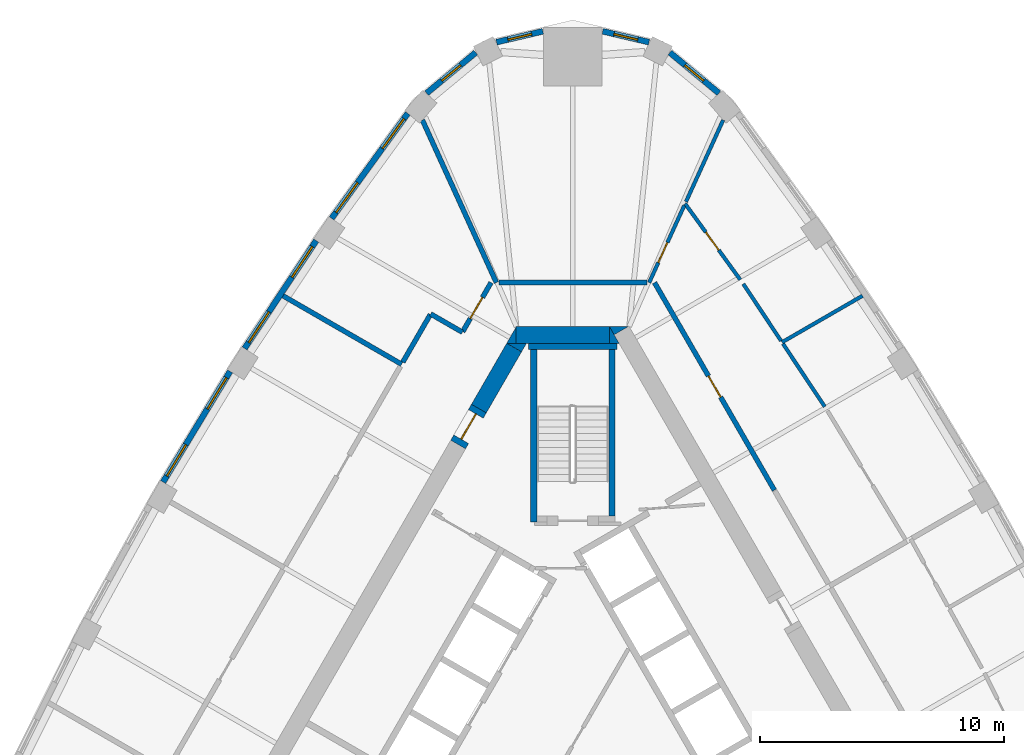
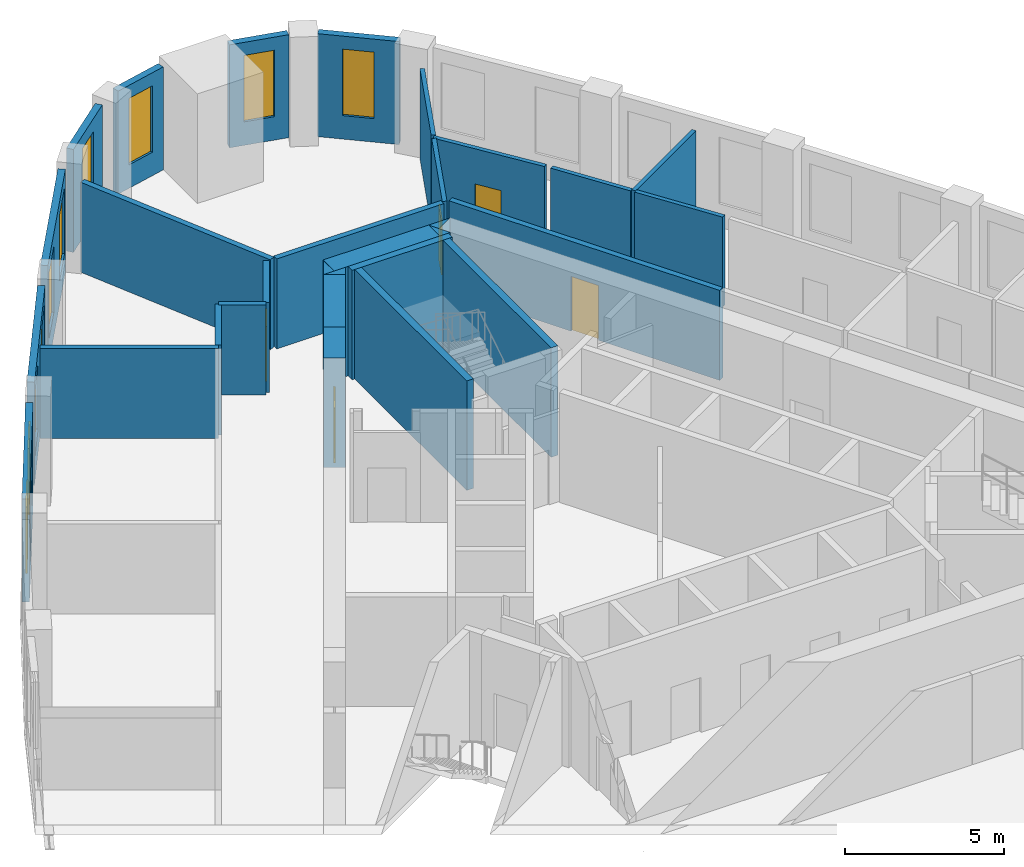
# One storey, part 8 of 10: 30 walls, 10 windows, 5 doors, 15 openings.
"""IFC4 building model written with IfcOpenShell, lengths in metres."""

from ifc_helpers import new_model, si_unit, direction, frame, frame_2d, origin, place, context, subcontext, project, spatial, polyline, rectangle, outline, extrude, material, layer, layer_set, type_object, element, fill, save


model = new_model("IFC4")

# Units and contexts
model_context = context("Model", 3, precision=1e-05, world=origin(), true_north=direction((0.0, 1.0)))
body_context = subcontext(model_context, "Body", "Model", "MODEL_VIEW")
ifc_project = project(units=[si_unit("LENGTHUNIT", "METRE"), si_unit("AREAUNIT", "SQUARE_METRE"), si_unit("VOLUMEUNIT", "CUBIC_METRE"), si_unit("PLANEANGLEUNIT", "RADIAN"), si_unit("MASSUNIT", "GRAM", prefix="KILO")], contexts=[model_context])

# Site, building, storey
site_placement = place(None, origin())
site = spatial("IfcSite", under=ifc_project, at=site_placement, CompositionType="ELEMENT")
building_placement = place(site_placement, origin())
building = spatial("IfcBuilding", under=site, at=building_placement, Name="Mestral Congress Tower", CompositionType="ELEMENT")
storey_placement = place(building_placement, frame((0.0, 0.0, 235.199951171875)))
storey = spatial("IfcBuildingStorey", under=building, at=storey_placement, Name="L55", CompositionType="ELEMENT", Elevation=235.199951171875)

# Walls
ifc_material_1 = material(Name="Concrete C60/75", Category="concrete")
ifc_layer_1 = layer(ifc_material_1, 0.699951171875)
ifc_layer_set_1 = layer_set([ifc_layer_1], Name="Concrete C60/75")
wall_type_1 = type_object("IfcWallType", Name="Core wall RC 700", PredefinedType="SOLIDWALL", material=ifc_layer_set_1)
placement = place(storey_placement, origin())
element("IfcWall", 1, at=placement, inside=storey, type_object=wall_type_1, Name="L55 core wall", PredefinedType="SOLIDWALL", context=body_context, shape_type="SweptSolid", body=[
    extrude(outline(polyline([(1.501220703125, 16.699951171875), (2.277099609375, 16.699951171875), (1.695068359375, 16.364013671875), (1.501220703125, 16.699951171875)])), origin(), (0.0, 0.0, 1.0), 4.199951171875),
])
wall_2_placement = place(storey_placement, frame((-2.323486328125, 16.35009765625, 0.0), z_axis=(0.0, 0.0, 1.0), x_axis=(1.0, 0.0, 0.0)))
element("IfcWall", 2, at=wall_2_placement, inside=storey, type_object=wall_type_1, Name="L55 core wall", PredefinedType="SOLIDWALL", context=body_context, shape_type="SweptSolid", body=[
    extrude(rectangle(XDim=3.828857421875, YDim=0.699951171875, at=frame_2d((1.91455078125, 0.0))), origin(), (0.0, 0.0, 1.0), 4.199951171875),
])
element("IfcWall", 3, at=placement, inside=storey, type_object=wall_type_1, Name="L55 core wall", PredefinedType="SOLIDWALL", context=body_context, shape_type="SweptSolid", body=[
    extrude(outline(polyline([(1.9052734375, 16.0), (1.50732421875, 16.0), (1.50732421875, 16.689208984375), (1.9052734375, 16.0)])), origin(), (0.0, 0.0, 1.0), 4.199951171875),
])
element("IfcWall", 4, at=placement, inside=storey, type_object=wall_type_1, Name="L55 core wall", PredefinedType="SOLIDWALL", context=body_context, shape_type="SweptSolid", body=[
    extrude(outline(polyline([(-2.71337890625, 16.0), (-2.325439453125, 16.672119140625), (-2.325439453125, 16.0), (-2.71337890625, 16.0)])), origin(), (0.0, 0.0, 1.0), 4.199951171875),
])
wall_5_placement = place(storey_placement, frame((-2.4033203125, 15.837158203125, 0.0), z_axis=(0.0, 0.0, 1.0), x_axis=(-0.500008214683, -0.866020660983, 0.0)))
element("IfcWall", 5, at=wall_5_placement, inside=storey, type_object=wall_type_1, Name="L55 core wall", PredefinedType="SOLIDWALL", context=body_context, shape_type="SweptSolid", body=[
    extrude(rectangle(XDim=2.88427734375, YDim=0.699951171875, at=frame_2d((1.442138671875, 0.0))), origin(), (0.0, 0.0, 1.0), 4.199951171875),
])
element("IfcWall", 6, at=placement, inside=storey, type_object=wall_type_1, Name="L55 core wall", PredefinedType="SOLIDWALL", context=body_context, shape_type="SweptSolid", body=[
    extrude(outline(polyline([(-1.9052734375, 16.0), (-2.099365234375, 15.6640625), (-2.681396484375, 16.0), (-1.9052734375, 16.0)])), origin(), (0.0, 0.0, 1.0), 4.199951171875),
])

# Wall, opening, door
wall_7_placement = place(storey_placement, frame((-4.695556640625, 11.866943359375, 0.0), z_axis=(0.0, 0.0, 1.0), x_axis=(0.499892348375, 0.866087547558, 0.0)))
wall_7 = element("IfcWall", 7, at=wall_7_placement, inside=storey, type_object=wall_type_1, Name="L55 door wall", PredefinedType="SOLIDWALL", context=body_context, shape_type="SweptSolid", body=[
    extrude(rectangle(XDim=1.699951171875, YDim=0.699951171875, at=frame_2d((0.85009765625, 0.0))), origin(), (0.0, 0.0, 1.0), 4.199951171875),
])
opening_1_placement = place(wall_7_placement, frame((0.25, 0.0, 0.0)))
opening_1 = element("IfcOpeningElement", 8, at=opening_1_placement, cuts=wall_7, Name="Opening XD2", PredefinedType="OPENING", context=body_context, shape_type="SweptSolid", body=[
    extrude(rectangle(XDim=1.199951171875, YDim=2.10009765625, at=frame_2d((0.60009765625, 1.050048828125))), frame((0.0, 0.35986328125, 0.0), z_axis=(0.0, -1.0, 0.0), x_axis=(1.0, 0.0, 0.0)), (0.0, 0.0, 1.0), 0.719970703125),
])
ifc_material_2 = material(Name="Fire-rated steel door set", Category="steel")
door_type_1 = type_object("IfcDoorType", Name="Core door XD 1200x2100", OperationType="SINGLE_SWING_LEFT", PredefinedType="DOOR", material=ifc_material_2)
door_1_placement = place(opening_1_placement, origin())
door_1 = element("IfcDoor", 9, at=door_1_placement, inside=storey, type_object=door_type_1, Name="Door XD2", OperationType="SINGLE_SWING_LEFT", OverallHeight=2.10009765625, OverallWidth=1.199951171875, PredefinedType="DOOR", context=body_context, shape_type="SweptSolid", body=[
    extrude(rectangle(XDim=1.199951171875, YDim=2.10009765625, at=frame_2d((0.60009765625, 1.050048828125))), frame((0.0, 0.02490234375, 0.0), z_axis=(0.0, -1.0, 0.0), x_axis=(1.0, 0.0, 0.0)), (0.0, 0.0, 1.0), 0.050048828125),
])
fill(opening_1, door_1)

# Wall, opening, window
ifc_material_3 = material(Name="Precast concrete C40/50 with limestone facing", Category="masonry")
ifc_layer_2 = layer(ifc_material_3, 0.239990234375)
ifc_layer_set_2 = layer_set([ifc_layer_2], Name="Precast concrete C40/50 with limestone facing")
wall_type_2 = type_object("IfcWallType", Name="Facade stone wall 240", PredefinedType="SOLIDWALL", material=ifc_layer_set_2)
wall_8_placement = place(storey_placement, frame((5.986572265625, 26.259033203125, 0.0), z_axis=(0.0, 0.0, 1.0), x_axis=(-0.769990037733, 0.638055908045, 0.0)))
wall_8 = element("IfcWall", 10, at=wall_8_placement, inside=storey, type_object=wall_type_2, Name="Facade wall K1-0", PredefinedType="SOLIDWALL", context=body_context, shape_type="SweptSolid", body=[
    extrude(rectangle(XDim=2.609130859375, YDim=0.239990234375, at=frame_2d((1.3046875, 0.0))), origin(), (0.0, 0.0, 1.0), 3.949951171875),
])
opening_2_placement = place(wall_8_placement, frame((0.8046875, 0.0, 0.89990234375)))
opening_2 = element("IfcOpeningElement", 11, at=opening_2_placement, cuts=wall_8, Name="Opening W5", PredefinedType="OPENING", context=body_context, shape_type="SweptSolid", body=[
    extrude(rectangle(XDim=1.0, YDim=2.550048828125, at=frame_2d((0.5, 1.27490234375))), frame((0.0, 0.1298828125, 0.0), z_axis=(0.0, -1.0, 0.0), x_axis=(1.0, 0.0, 0.0)), (0.0, 0.0, 1.0), 0.260009765625),
])
ifc_material_4 = material(Name="Clear low-emissivity double glazing", Category="glass")
window_type_1 = type_object("IfcWindowType", Name="Facade punched window 1000 x 2550 sill 900", PartitioningType="SINGLE_PANEL", PredefinedType="WINDOW", material=ifc_material_4)
window_1_placement = place(opening_2_placement, origin())
window_1 = element("IfcWindow", 12, at=window_1_placement, inside=storey, type_object=window_type_1, Name="Window K1-0", OverallHeight=2.550048828125, OverallWidth=1.0, PartitioningType="SINGLE_PANEL", PredefinedType="WINDOW", context=body_context, shape_type="SweptSolid", body=[
    extrude(rectangle(XDim=1.0, YDim=2.550048828125, at=frame_2d((0.5, 1.27490234375))), frame((0.0, 0.0400390625, 0.0), z_axis=(0.0, -1.0, 0.0), x_axis=(1.0, 0.0, 0.0)), (0.0, 0.0, 1.0), 0.06005859375),
])
fill(opening_2, window_1)

wall_9_placement = place(storey_placement, frame((3.123046875, 28.3486328125, 0.0), z_axis=(0.0, 0.0, 1.0), x_axis=(-0.973515706272, 0.228620142686, 0.0)))
wall_9 = element("IfcWall", 13, at=wall_9_placement, inside=storey, type_object=wall_type_2, Name="Facade wall K1-1", PredefinedType="SOLIDWALL", context=body_context, shape_type="SweptSolid", body=[
    extrude(rectangle(XDim=1.94775390625, YDim=0.239990234375, at=frame_2d((0.973876953125, 0.0))), origin(), (0.0, 0.0, 1.0), 3.949951171875),
])
opening_3_placement = place(wall_9_placement, frame((0.47412109375, 0.0, 0.89990234375)))
opening_3 = element("IfcOpeningElement", 14, at=opening_3_placement, cuts=wall_9, Name="Opening W5", PredefinedType="OPENING", context=body_context, shape_type="SweptSolid", body=[
    extrude(rectangle(XDim=1.0, YDim=2.550048828125, at=frame_2d((0.5, 1.27490234375))), frame((0.0, 0.1298828125, 0.0), z_axis=(0.0, -1.0, 0.0), x_axis=(1.0, 0.0, 0.0)), (0.0, 0.0, 1.0), 0.260009765625),
])
window_2_placement = place(opening_3_placement, origin())
window_2 = element("IfcWindow", 15, at=window_2_placement, inside=storey, type_object=window_type_1, Name="Window K1-1", OverallHeight=2.550048828125, OverallWidth=1.0, PartitioningType="SINGLE_PANEL", PredefinedType="WINDOW", context=body_context, shape_type="SweptSolid", body=[
    extrude(rectangle(XDim=1.0, YDim=2.550048828125, at=frame_2d((0.5, 1.27490234375))), frame((0.0, 0.0400390625, 0.0), z_axis=(0.0, -1.0, 0.0), x_axis=(1.0, 0.0, 0.0)), (0.0, 0.0, 1.0), 0.06005859375),
])
fill(opening_3, window_2)

wall_10_placement = place(storey_placement, frame((-1.226806640625, 28.7939453125, 0.0), z_axis=(0.0, 0.0, 1.0), x_axis=(-0.973515706272, -0.228620142686, 0.0)))
wall_10 = element("IfcWall", 16, at=wall_10_placement, inside=storey, type_object=wall_type_2, Name="Facade wall K1-2", PredefinedType="SOLIDWALL", context=body_context, shape_type="SweptSolid", body=[
    extrude(rectangle(XDim=1.94775390625, YDim=0.239990234375, at=frame_2d((0.973876953125, 0.0))), origin(), (0.0, 0.0, 1.0), 3.949951171875),
])
opening_4_placement = place(wall_10_placement, frame((0.47412109375, 0.0, 0.89990234375)))
opening_4 = element("IfcOpeningElement", 17, at=opening_4_placement, cuts=wall_10, Name="Opening W5", PredefinedType="OPENING", context=body_context, shape_type="SweptSolid", body=[
    extrude(rectangle(XDim=1.0, YDim=2.550048828125, at=frame_2d((0.5, 1.27490234375))), frame((0.0, 0.1298828125, 0.0), z_axis=(0.0, -1.0, 0.0), x_axis=(1.0, 0.0, 0.0)), (0.0, 0.0, 1.0), 0.260009765625),
])
window_3_placement = place(opening_4_placement, origin())
window_3 = element("IfcWindow", 18, at=window_3_placement, inside=storey, type_object=window_type_1, Name="Window K1-2", OverallHeight=2.550048828125, OverallWidth=1.0, PartitioningType="SINGLE_PANEL", PredefinedType="WINDOW", context=body_context, shape_type="SweptSolid", body=[
    extrude(rectangle(XDim=1.0, YDim=2.550048828125, at=frame_2d((0.5, 1.27490234375))), frame((0.0, 0.0400390625, 0.0), z_axis=(0.0, -1.0, 0.0), x_axis=(1.0, 0.0, 0.0)), (0.0, 0.0, 1.0), 0.06005859375),
])
fill(opening_4, window_3)

wall_11_placement = place(storey_placement, frame((-3.9775390625, 27.923828125, 0.0), z_axis=(0.0, 0.0, 1.0), x_axis=(-0.769990037733, -0.638055908045, 0.0)))
wall_11 = element("IfcWall", 19, at=wall_11_placement, inside=storey, type_object=wall_type_2, Name="Facade wall K1-3", PredefinedType="SOLIDWALL", context=body_context, shape_type="SweptSolid", body=[
    extrude(rectangle(XDim=2.609130859375, YDim=0.239990234375, at=frame_2d((1.3046875, 0.0))), origin(), (0.0, 0.0, 1.0), 3.949951171875),
])
opening_5_placement = place(wall_11_placement, frame((0.8046875, 0.0, 0.89990234375)))
opening_5 = element("IfcOpeningElement", 20, at=opening_5_placement, cuts=wall_11, Name="Opening W5", PredefinedType="OPENING", context=body_context, shape_type="SweptSolid", body=[
    extrude(rectangle(XDim=1.0, YDim=2.550048828125, at=frame_2d((0.5, 1.27490234375))), frame((0.0, 0.1298828125, 0.0), z_axis=(0.0, -1.0, 0.0), x_axis=(1.0, 0.0, 0.0)), (0.0, 0.0, 1.0), 0.260009765625),
])
window_4_placement = place(opening_5_placement, origin())
window_4 = element("IfcWindow", 21, at=window_4_placement, inside=storey, type_object=window_type_1, Name="Window K1-3", OverallHeight=2.550048828125, OverallWidth=1.0, PartitioningType="SINGLE_PANEL", PredefinedType="WINDOW", context=body_context, shape_type="SweptSolid", body=[
    extrude(rectangle(XDim=1.0, YDim=2.550048828125, at=frame_2d((0.5, 1.27490234375))), frame((0.0, 0.0400390625, 0.0), z_axis=(0.0, -1.0, 0.0), x_axis=(1.0, 0.0, 0.0)), (0.0, 0.0, 1.0), 0.06005859375),
])
fill(opening_5, window_4)

# Wall, openings, windows
wall_12_placement = place(storey_placement, frame((-6.760986328125, 25.431884765625, 0.0), z_axis=(0.0, 0.0, 1.0), x_axis=(-0.586998456641, -0.80958805074, 0.0)))
wall_12 = element("IfcWall", 22, at=wall_12_placement, inside=storey, type_object=wall_type_2, Name="Facade wall F2-00", PredefinedType="SOLIDWALL", context=body_context, shape_type="SweptSolid", body=[
    extrude(rectangle(XDim=5.310791015625, YDim=0.239990234375, at=frame_2d((2.6552734375, 0.0))), origin(), (0.0, 0.0, 1.0), 3.949951171875),
])
opening_6_placement = place(wall_12_placement, frame((0.271484375, 0.0, 0.89990234375)))
opening_6 = element("IfcOpeningElement", 23, at=opening_6_placement, cuts=wall_12, Name="Opening W4", PredefinedType="OPENING", context=body_context, shape_type="SweptSolid", body=[
    extrude(rectangle(XDim=1.5, YDim=2.550048828125, at=frame_2d((0.75, 1.27490234375))), frame((0.0, 0.1298828125, 0.0), z_axis=(0.0, -1.0, 0.0), x_axis=(1.0, 0.0, 0.0)), (0.0, 0.0, 1.0), 0.260009765625),
])
opening_7_placement = place(wall_12_placement, frame((3.50439453125, 0.0, 0.89990234375)))
opening_7 = element("IfcOpeningElement", 24, at=opening_7_placement, cuts=wall_12, Name="Opening W4", PredefinedType="OPENING", context=body_context, shape_type="SweptSolid", body=[
    extrude(rectangle(XDim=1.5, YDim=2.550048828125, at=frame_2d((0.75, 1.27490234375))), frame((0.0, 0.1298828125, 0.0), z_axis=(0.0, -1.0, 0.0), x_axis=(1.0, 0.0, 0.0)), (0.0, 0.0, 1.0), 0.260009765625),
])
window_type_2 = type_object("IfcWindowType", Name="Facade punched window 1500 x 2550 sill 900", PartitioningType="SINGLE_PANEL", PredefinedType="WINDOW", material=ifc_material_4)
window_5_placement = place(opening_6_placement, origin())
window_5 = element("IfcWindow", 25, at=window_5_placement, inside=storey, type_object=window_type_2, Name="Window F2-00a", OverallHeight=2.550048828125, OverallWidth=1.5, PartitioningType="SINGLE_PANEL", PredefinedType="WINDOW", context=body_context, shape_type="SweptSolid", body=[
    extrude(rectangle(XDim=1.5, YDim=2.550048828125, at=frame_2d((0.75, 1.27490234375))), frame((0.0, 0.0400390625, 0.0), z_axis=(0.0, -1.0, 0.0), x_axis=(1.0, 0.0, 0.0)), (0.0, 0.0, 1.0), 0.06005859375),
])
fill(opening_6, window_5)
window_6_placement = place(opening_7_placement, origin())
window_6 = element("IfcWindow", 26, at=window_6_placement, inside=storey, type_object=window_type_2, Name="Window F2-00b", OverallHeight=2.550048828125, OverallWidth=1.5, PartitioningType="SINGLE_PANEL", PredefinedType="WINDOW", context=body_context, shape_type="SweptSolid", body=[
    extrude(rectangle(XDim=1.5, YDim=2.550048828125, at=frame_2d((0.75, 1.27490234375))), frame((0.0, 0.0400390625, 0.0), z_axis=(0.0, -1.0, 0.0), x_axis=(1.0, 0.0, 0.0)), (0.0, 0.0, 1.0), 0.06005859375),
])
fill(opening_7, window_6)

wall_13_placement = place(storey_placement, frame((-10.5126953125, 20.21826171875, 0.0), z_axis=(0.0, 0.0, 1.0), x_axis=(-0.552901821755, -0.833246407433, 0.0)))
wall_13 = element("IfcWall", 27, at=wall_13_placement, inside=storey, type_object=wall_type_2, Name="Facade wall F2-01", PredefinedType="SOLIDWALL", context=body_context, shape_type="SweptSolid", body=[
    extrude(rectangle(XDim=5.29833984375, YDim=0.239990234375, at=frame_2d((2.649169921875, 0.0))), origin(), (0.0, 0.0, 1.0), 3.949951171875),
])
opening_8_placement = place(wall_13_placement, frame((0.29443359375, 0.0, 0.89990234375)))
opening_8 = element("IfcOpeningElement", 28, at=opening_8_placement, cuts=wall_13, Name="Opening W4", PredefinedType="OPENING", context=body_context, shape_type="SweptSolid", body=[
    extrude(rectangle(XDim=1.5, YDim=2.550048828125, at=frame_2d((0.75, 1.27490234375))), frame((0.0, 0.1298828125, 0.0), z_axis=(0.0, -1.0, 0.0), x_axis=(1.0, 0.0, 0.0)), (0.0, 0.0, 1.0), 0.260009765625),
])
opening_9_placement = place(wall_13_placement, frame((3.503662109375, 0.0, 0.89990234375)))
opening_9 = element("IfcOpeningElement", 29, at=opening_9_placement, cuts=wall_13, Name="Opening W4", PredefinedType="OPENING", context=body_context, shape_type="SweptSolid", body=[
    extrude(rectangle(XDim=1.5, YDim=2.550048828125, at=frame_2d((0.75, 1.27490234375))), frame((0.0, 0.1298828125, 0.0), z_axis=(0.0, -1.0, 0.0), x_axis=(1.0, 0.0, 0.0)), (0.0, 0.0, 1.0), 0.260009765625),
])
window_7_placement = place(opening_8_placement, origin())
window_7 = element("IfcWindow", 30, at=window_7_placement, inside=storey, type_object=window_type_2, Name="Window F2-01a", OverallHeight=2.550048828125, OverallWidth=1.5, PartitioningType="SINGLE_PANEL", PredefinedType="WINDOW", context=body_context, shape_type="SweptSolid", body=[
    extrude(rectangle(XDim=1.5, YDim=2.550048828125, at=frame_2d((0.75, 1.27490234375))), frame((0.0, 0.0400390625, 0.0), z_axis=(0.0, -1.0, 0.0), x_axis=(1.0, 0.0, 0.0)), (0.0, 0.0, 1.0), 0.06005859375),
])
fill(opening_8, window_7)
window_8_placement = place(opening_9_placement, origin())
window_8 = element("IfcWindow", 31, at=window_8_placement, inside=storey, type_object=window_type_2, Name="Window F2-01b", OverallHeight=2.550048828125, OverallWidth=1.5, PartitioningType="SINGLE_PANEL", PredefinedType="WINDOW", context=body_context, shape_type="SweptSolid", body=[
    extrude(rectangle(XDim=1.5, YDim=2.550048828125, at=frame_2d((0.75, 1.27490234375))), frame((0.0, 0.0400390625, 0.0), z_axis=(0.0, -1.0, 0.0), x_axis=(1.0, 0.0, 0.0)), (0.0, 0.0, 1.0), 0.06005859375),
])
fill(opening_9, window_8)

wall_14_placement = place(storey_placement, frame((-14.0380859375, 14.86376953125, 0.0), z_axis=(0.0, 0.0, 1.0), x_axis=(-0.517846166225, -0.855473756538, 0.0)))
wall_14 = element("IfcWall", 32, at=wall_14_placement, inside=storey, type_object=wall_type_2, Name="Facade wall F2-02", PredefinedType="SOLIDWALL", context=body_context, shape_type="SweptSolid", body=[
    extrude(rectangle(XDim=5.298095703125, YDim=0.239990234375, at=frame_2d((2.64892578125, 0.0))), origin(), (0.0, 0.0, 1.0), 3.949951171875),
])
opening_10_placement = place(wall_14_placement, frame((0.29443359375, 0.0, 0.89990234375)))
opening_10 = element("IfcOpeningElement", 33, at=opening_10_placement, cuts=wall_14, Name="Opening W4", PredefinedType="OPENING", context=body_context, shape_type="SweptSolid", body=[
    extrude(rectangle(XDim=1.5, YDim=2.550048828125, at=frame_2d((0.75, 1.27490234375))), frame((0.0, 0.1298828125, 0.0), z_axis=(0.0, -1.0, 0.0), x_axis=(1.0, 0.0, 0.0)), (0.0, 0.0, 1.0), 0.260009765625),
])
opening_11_placement = place(wall_14_placement, frame((3.503662109375, 0.0, 0.89990234375)))
opening_11 = element("IfcOpeningElement", 34, at=opening_11_placement, cuts=wall_14, Name="Opening W4", PredefinedType="OPENING", context=body_context, shape_type="SweptSolid", body=[
    extrude(rectangle(XDim=1.5, YDim=2.550048828125, at=frame_2d((0.75, 1.27490234375))), frame((0.0, 0.1298828125, 0.0), z_axis=(0.0, -1.0, 0.0), x_axis=(1.0, 0.0, 0.0)), (0.0, 0.0, 1.0), 0.260009765625),
])
window_9_placement = place(opening_10_placement, origin())
window_9 = element("IfcWindow", 35, at=window_9_placement, inside=storey, type_object=window_type_2, Name="Window F2-02a", OverallHeight=2.550048828125, OverallWidth=1.5, PartitioningType="SINGLE_PANEL", PredefinedType="WINDOW", context=body_context, shape_type="SweptSolid", body=[
    extrude(rectangle(XDim=1.5, YDim=2.550048828125, at=frame_2d((0.75, 1.27490234375))), frame((0.0, 0.0400390625, 0.0), z_axis=(0.0, -1.0, 0.0), x_axis=(1.0, 0.0, 0.0)), (0.0, 0.0, 1.0), 0.06005859375),
])
fill(opening_10, window_9)
window_10_placement = place(opening_11_placement, origin())
window_10 = element("IfcWindow", 36, at=window_10_placement, inside=storey, type_object=window_type_2, Name="Window F2-02b", OverallHeight=2.550048828125, OverallWidth=1.5, PartitioningType="SINGLE_PANEL", PredefinedType="WINDOW", context=body_context, shape_type="SweptSolid", body=[
    extrude(rectangle(XDim=1.5, YDim=2.550048828125, at=frame_2d((0.75, 1.27490234375))), frame((0.0, 0.0400390625, 0.0), z_axis=(0.0, -1.0, 0.0), x_axis=(1.0, 0.0, 0.0)), (0.0, 0.0, 1.0), 0.06005859375),
])
fill(opening_11, window_10)

# Walls
ifc_material_5 = material(Name="Plasterboard partition on steel studs", Category="steel")
ifc_layer_3 = layer(ifc_material_5, 0.14990234375)
ifc_layer_set_3 = layer_set([ifc_layer_3], Name="Plasterboard partition on steel studs")
wall_type_3 = type_object("IfcWallType", Name="Office partition 150", PredefinedType="PARTITIONING", material=ifc_layer_set_3)
wall_15_placement = place(storey_placement, frame((8.5703125, 16.055908203125, 0.0), z_axis=(0.0, 0.0, 1.0), x_axis=(0.866000839906, 0.500042543472, 0.0)))
element("IfcWall", 37, at=wall_15_placement, inside=storey, type_object=wall_type_3, Name="Partition", PredefinedType="PARTITIONING", context=body_context, shape_type="SweptSolid", body=[
    extrude(rectangle(XDim=3.807373046875, YDim=0.14990234375, at=frame_2d((1.90380859375, 0.0))), origin(), (0.0, 0.0, 1.0), 3.449951171875),
])
wall_16_placement = place(storey_placement, frame((10.320068359375, 13.418701171875, 0.0), z_axis=(0.0, 0.0, 1.0), x_axis=(-0.552857215969, 0.833276003945, 0.0)))
element("IfcWall", 38, at=wall_16_placement, inside=storey, type_object=wall_type_3, Name="Partition", PredefinedType="PARTITIONING", context=body_context, shape_type="SweptSolid", body=[
    extrude(rectangle(XDim=3.08984375, YDim=0.14990234375, at=frame_2d((1.544921875, 0.0))), origin(), (0.0, 0.0, 1.0), 3.449951171875),
])
wall_17_placement = place(storey_placement, frame((8.528564453125, 16.118408203125, 0.0), z_axis=(0.0, 0.0, 1.0), x_axis=(-0.552884246744, 0.833258069089, 0.0)))
element("IfcWall", 39, at=wall_17_placement, inside=storey, type_object=wall_type_3, Name="Partition", PredefinedType="PARTITIONING", context=body_context, shape_type="SweptSolid", body=[
    extrude(rectangle(XDim=2.794189453125, YDim=0.14990234375, at=frame_2d((1.39697265625, 0.0))), origin(), (0.0, 0.0, 1.0), 3.449951171875),
])

# Wall, opening, door
wall_18_placement = place(storey_placement, frame((4.6005859375, 21.733154296875, 0.0), z_axis=(0.0, 0.0, 1.0), x_axis=(0.587031033917, -0.809564429319, 0.0)))
wall_18 = element("IfcWall", 40, at=wall_18_placement, inside=storey, type_object=wall_type_3, Name="Partition", PredefinedType="PARTITIONING", context=body_context, shape_type="SweptSolid", body=[
    extrude(rectangle(XDim=3.84521484375, YDim=0.14990234375, at=frame_2d((1.922607421875, 0.0))), origin(), (0.0, 0.0, 1.0), 3.449951171875),
])
opening_12_placement = place(wall_18_placement, frame((1.4453125, 0.0, 0.0)))
opening_12 = element("IfcOpeningElement", 41, at=opening_12_placement, cuts=wall_18, Name="Opening O08-017", PredefinedType="OPENING", context=body_context, shape_type="SweptSolid", body=[
    extrude(rectangle(XDim=0.89990234375, YDim=2.10009765625, at=frame_2d((0.449951171875, 1.050048828125))), frame((0.0, 0.0849609375, 0.0), z_axis=(0.0, -1.0, 0.0), x_axis=(1.0, 0.0, 0.0)), (0.0, 0.0, 1.0), 0.169921875),
])
ifc_material_6 = material(Name="Timber door set", Category="wood")
door_type_2 = type_object("IfcDoorType", Name="Office door 900x2100", OperationType="SINGLE_SWING_LEFT", PredefinedType="DOOR", material=ifc_material_6)
door_2_placement = place(opening_12_placement, origin())
door_2 = element("IfcDoor", 42, at=door_2_placement, inside=storey, type_object=door_type_2, Name="Door O08-017", OperationType="SINGLE_SWING_LEFT", OverallHeight=2.10009765625, OverallWidth=0.89990234375, PredefinedType="DOOR", context=body_context, shape_type="SweptSolid", body=[
    extrude(rectangle(XDim=0.89990234375, YDim=2.10009765625, at=frame_2d((0.449951171875, 1.050048828125))), frame((0.0, 0.02490234375, 0.0), z_axis=(0.0, -1.0, 0.0), x_axis=(1.0, 0.0, 0.0)), (0.0, 0.0, 1.0), 0.050048828125),
])
fill(opening_12, door_2)

# Wall
wall_19_placement = place(storey_placement, frame((4.636474609375, 21.811767578125, 0.0), z_axis=(0.0, 0.0, 1.0), x_axis=(0.414322811892, 0.910129994861, 0.0)))
element("IfcWall", 43, at=wall_19_placement, inside=storey, type_object=wall_type_3, Name="Partition", PredefinedType="PARTITIONING", context=body_context, shape_type="SweptSolid", body=[
    extrude(rectangle(XDim=3.67919921875, YDim=0.14990234375, at=frame_2d((1.839599609375, 0.0))), origin(), (0.0, 0.0, 1.0), 3.449951171875),
])

# Wall, opening, door
wall_20_placement = place(storey_placement, frame((3.12890625, 18.5, 0.0), z_axis=(0.0, 0.0, 1.0), x_axis=(0.414291096557, 0.910144432117, 0.0)))
wall_20 = element("IfcWall", 44, at=wall_20_placement, inside=storey, type_object=wall_type_3, Name="Partition", PredefinedType="PARTITIONING", context=body_context, shape_type="SweptSolid", body=[
    extrude(rectangle(XDim=3.46630859375, YDim=0.14990234375, at=frame_2d((1.733154296875, 0.0))), origin(), (0.0, 0.0, 1.0), 3.449951171875),
])
opening_13_placement = place(wall_20_placement, frame((0.89990234375, 0.0, 0.0)))
opening_13 = element("IfcOpeningElement", 45, at=opening_13_placement, cuts=wall_20, Name="Opening O08-019", PredefinedType="OPENING", context=body_context, shape_type="SweptSolid", body=[
    extrude(rectangle(XDim=0.89990234375, YDim=2.10009765625, at=frame_2d((0.449951171875, 1.050048828125))), frame((0.0, 0.0849609375, 0.0), z_axis=(0.0, -1.0, 0.0), x_axis=(1.0, 0.0, 0.0)), (0.0, 0.0, 1.0), 0.169921875),
])
door_3_placement = place(opening_13_placement, origin())
door_3 = element("IfcDoor", 46, at=door_3_placement, inside=storey, type_object=door_type_2, Name="Door O08-019", OperationType="SINGLE_SWING_LEFT", OverallHeight=2.10009765625, OverallWidth=0.89990234375, PredefinedType="DOOR", context=body_context, shape_type="SweptSolid", body=[
    extrude(rectangle(XDim=0.89990234375, YDim=2.10009765625, at=frame_2d((0.449951171875, 1.050048828125))), frame((0.0, 0.02490234375, 0.0), z_axis=(0.0, -1.0, 0.0), x_axis=(1.0, 0.0, 0.0)), (0.0, 0.0, 1.0), 0.050048828125),
])
fill(opening_13, door_3)

# Walls
ifc_material_7 = material(Name="Dense masonry wall, plastered", Category="masonry")
ifc_layer_4 = layer(ifc_material_7, 0.199951171875)
ifc_layer_set_4 = layer_set([ifc_layer_4], Name="Dense masonry wall, plastered")
wall_type_4 = type_object("IfcWallType", Name="Office tenancy wall 200", PredefinedType="PARTITIONING", material=ifc_layer_set_4)
wall_21_placement = place(storey_placement, frame((-7.011474609375, 15.156005859375, 0.0), z_axis=(0.0, 0.0, 1.0), x_axis=(-0.866015917575, 0.500016430238, 0.0)))
element("IfcWall", 47, at=wall_21_placement, inside=storey, type_object=wall_type_4, Name="Tenancy wall", PredefinedType="PARTITIONING", context=body_context, shape_type="SweptSolid", body=[
    extrude(rectangle(XDim=5.607177734375, YDim=0.199951171875, at=frame_2d((2.8037109375, 0.0))), origin(), (0.0, 0.0, 1.0), 3.449951171875),
])
wall_22_placement = place(storey_placement, frame((-6.160888671875, 25.160400390625, 0.0), z_axis=(0.0, 0.0, 1.0), x_axis=(0.414315639321, -0.910133260031, 0.0)))
element("IfcWall", 48, at=wall_22_placement, inside=storey, type_object=wall_type_4, Name="Tenancy wall", PredefinedType="PARTITIONING", context=body_context, shape_type="SweptSolid", body=[
    extrude(rectangle(XDim=7.318115234375, YDim=0.199951171875, at=frame_2d((3.6591796875, 0.0))), origin(), (0.0, 0.0, 1.0), 3.449951171875),
])
wall_23_placement = place(storey_placement, frame((-4.522216796875, 16.46728515625, 0.0), z_axis=(0.0, 0.0, 1.0), x_axis=(-0.866031096941, 0.499990139034, 0.0)))
element("IfcWall", 49, at=wall_23_placement, inside=storey, type_object=wall_type_4, Name="Tenancy wall", PredefinedType="PARTITIONING", context=body_context, shape_type="SweptSolid", body=[
    extrude(rectangle(XDim=1.5, YDim=0.199951171875, at=frame_2d((0.75, 0.0))), origin(), (0.0, 0.0, 1.0), 3.449951171875),
])
wall_24_placement = place(storey_placement, frame((-5.836181640625, 17.19140625, 0.0), z_axis=(0.0, 0.0, 1.0), x_axis=(-0.500048020061, -0.865997677614, 0.0)))
element("IfcWall", 50, at=wall_24_placement, inside=storey, type_object=wall_type_4, Name="Tenancy wall", PredefinedType="PARTITIONING", context=body_context, shape_type="SweptSolid", body=[
    extrude(rectangle(XDim=2.250244140625, YDim=0.199951171875, at=frame_2d((1.125, 0.0))), origin(), (0.0, 0.0, 1.0), 3.449951171875),
])

# Wall, opening, door
wall_25_placement = place(storey_placement, frame((-3.3486328125, 18.5, 0.0), z_axis=(0.0, 0.0, 1.0), x_axis=(-0.499980886083, -0.866036438928, 0.0)))
wall_25 = element("IfcWall", 51, at=wall_25_placement, inside=storey, type_object=wall_type_4, Name="Tenancy wall", PredefinedType="PARTITIONING", context=body_context, shape_type="SweptSolid", body=[
    extrude(rectangle(XDim=2.31689453125, YDim=0.199951171875, at=frame_2d((1.158447265625, 0.0))), origin(), (0.0, 0.0, 1.0), 3.449951171875),
])
opening_14_placement = place(wall_25_placement, frame((0.699951171875, 0.0, 0.0)))
opening_14 = element("IfcOpeningElement", 52, at=opening_14_placement, cuts=wall_25, Name="Opening O08-001", PredefinedType="OPENING", context=body_context, shape_type="SweptSolid", body=[
    extrude(rectangle(XDim=1.0, YDim=2.10009765625, at=frame_2d((0.5, 1.050048828125))), frame((0.0, 0.10986328125, 0.0), z_axis=(0.0, -1.0, 0.0), x_axis=(1.0, 0.0, 0.0)), (0.0, 0.0, 1.0), 0.219970703125),
])
ifc_material_8 = material(Name="Fire-rated timber door set", Category="wood")
door_type_3 = type_object("IfcDoorType", Name="Office tenancy entrance door 1000x2100", OperationType="SINGLE_SWING_LEFT", PredefinedType="DOOR", material=ifc_material_8)
door_4_placement = place(opening_14_placement, origin())
door_4 = element("IfcDoor", 53, at=door_4_placement, inside=storey, type_object=door_type_3, Name="Door O08-001", OperationType="SINGLE_SWING_RIGHT", OverallHeight=2.10009765625, OverallWidth=1.0, PredefinedType="DOOR", context=body_context, shape_type="SweptSolid", body=[
    extrude(rectangle(XDim=1.0, YDim=2.10009765625, at=frame_2d((0.5, 1.050048828125))), frame((0.0, 0.02490234375, 0.0), z_axis=(0.0, -1.0, 0.0), x_axis=(1.0, 0.0, 0.0)), (0.0, 0.0, 1.0), 0.050048828125),
])
fill(opening_14, door_4)

wall_26_placement = place(storey_placement, frame((8.257080078125, 9.998046875, 0.0), z_axis=(0.0, 0.0, 1.0), x_axis=(-0.499987955211, 0.866032357735, 0.0)))
wall_26 = element("IfcWall", 54, at=wall_26_placement, inside=storey, type_object=wall_type_4, Name="Tenancy wall", PredefinedType="PARTITIONING", context=body_context, shape_type="SweptSolid", body=[
    extrude(rectangle(XDim=9.817138671875, YDim=0.199951171875, at=frame_2d((4.90869140625, 0.0))), origin(), (0.0, 0.0, 1.0), 3.449951171875),
])
opening_15_placement = place(wall_26_placement, frame((4.39990234375, 0.0, 0.0)))
opening_15 = element("IfcOpeningElement", 55, at=opening_15_placement, cuts=wall_26, Name="Opening O08-018", PredefinedType="OPENING", context=body_context, shape_type="SweptSolid", body=[
    extrude(rectangle(XDim=1.0, YDim=2.10009765625, at=frame_2d((0.5, 1.050048828125))), frame((0.0, 0.10986328125, 0.0), z_axis=(0.0, -1.0, 0.0), x_axis=(1.0, 0.0, 0.0)), (0.0, 0.0, 1.0), 0.219970703125),
])
door_5_placement = place(opening_15_placement, origin())
door_5 = element("IfcDoor", 56, at=door_5_placement, inside=storey, type_object=door_type_3, Name="Door O08-018", OperationType="SINGLE_SWING_LEFT", OverallHeight=2.10009765625, OverallWidth=1.0, PredefinedType="DOOR", context=body_context, shape_type="SweptSolid", body=[
    extrude(rectangle(XDim=1.0, YDim=2.10009765625, at=frame_2d((0.5, 1.050048828125))), frame((0.0, 0.02490234375, 0.0), z_axis=(0.0, -1.0, 0.0), x_axis=(1.0, 0.0, 0.0)), (0.0, 0.0, 1.0), 0.050048828125),
])
fill(opening_15, door_5)

# Walls
wall_27_placement = place(storey_placement, frame((3.04638671875, 18.5, 0.0), z_axis=(0.0, 0.0, 1.0), x_axis=(-1.0, 0.0, 0.0)))
element("IfcWall", 57, at=wall_27_placement, inside=storey, type_object=wall_type_4, Name="Tenancy wall", PredefinedType="PARTITIONING", context=body_context, shape_type="SweptSolid", body=[
    extrude(rectangle(XDim=6.0654296875, YDim=0.199951171875, at=frame_2d((3.03271484375, 0.0))), origin(), (0.0, 0.0, 1.0), 3.449951171875),
])
ifc_layer_5 = layer(ifc_material_1, 0.25)
ifc_layer_set_5 = layer_set([ifc_layer_5], Name="Concrete C60/75")
wall_type_5 = type_object("IfcWallType", Name="Stair wall RC 250", PredefinedType="SOLIDWALL", material=ifc_layer_set_5)
wall_28_placement = place(storey_placement, frame((-1.81689453125, 15.875, 0.0), z_axis=(0.0, 0.0, 1.0), x_axis=(1.0, 0.0, 0.0)))
element("IfcWall", 58, at=wall_28_placement, inside=storey, type_object=wall_type_5, Name="L55 core wall", PredefinedType="SOLIDWALL", context=body_context, shape_type="SweptSolid", body=[
    extrude(rectangle(XDim=3.6337890625, YDim=0.25, at=frame_2d((1.81689453125, 0.0))), origin(), (0.0, 0.0, 1.0), 4.199951171875),
])
wall_29_placement = place(storey_placement, frame((1.60009765625, 8.949951171875, 0.0), z_axis=(0.0, 0.0, 1.0), x_axis=(0.0, 1.0, 0.0)))
element("IfcWall", 59, at=wall_29_placement, inside=storey, type_object=wall_type_5, Name="L55 core wall", PredefinedType="SOLIDWALL", context=body_context, shape_type="SweptSolid", body=[
    extrude(rectangle(XDim=6.800048828125, YDim=0.25, at=frame_2d((3.39990234375, 0.0))), origin(), (0.0, 0.0, 1.0), 4.199951171875),
])
wall_30_placement = place(storey_placement, frame((-1.60009765625, 8.699951171875, 0.0), z_axis=(0.0, 0.0, 1.0), x_axis=(0.0, 1.0, 0.0)))
element("IfcWall", 60, at=wall_30_placement, inside=storey, type_object=wall_type_5, Name="L55 core wall", PredefinedType="SOLIDWALL", context=body_context, shape_type="SweptSolid", body=[
    extrude(rectangle(XDim=7.050048828125, YDim=0.25, at=frame_2d((3.52490234375, 0.0))), origin(), (0.0, 0.0, 1.0), 4.199951171875),
])

save(model, "model.ifc")
